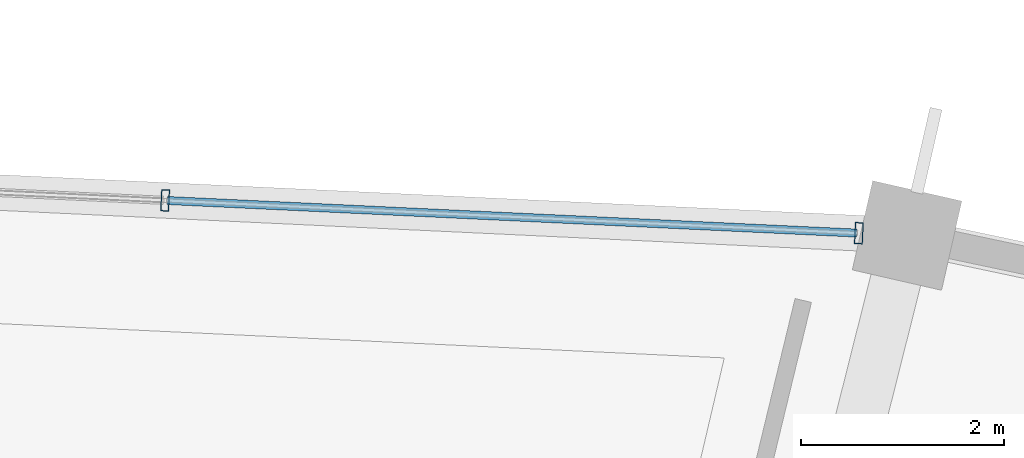
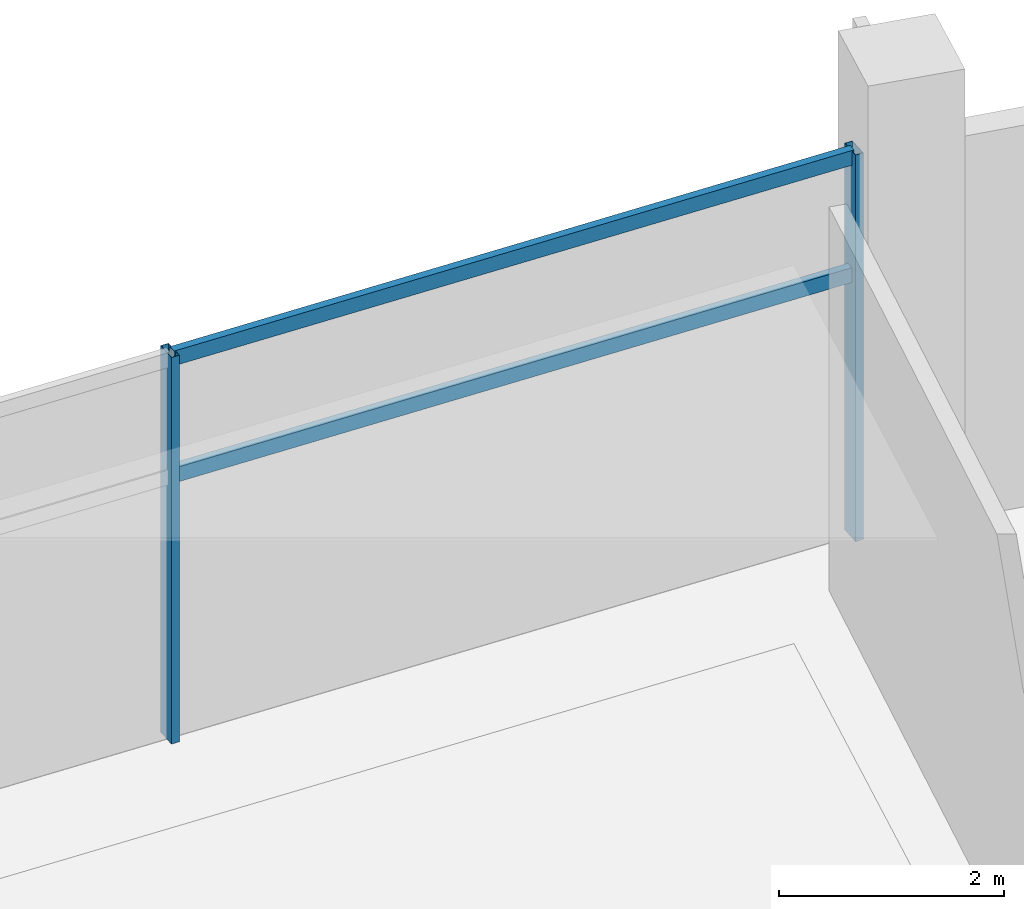
# One storey, part 124 of 184: 4 members, 1 element without a shape of its own.
"""IFC4 building model written with IfcOpenShell, lengths in metres."""

import ifcopenshell
import ifcopenshell.guid

model = None  # the IFC model being written
_history = None  # IfcOwnerHistory: only IFC2X3 demands one
_inside = {}  # id of a spatial element -> (the spatial element, [elements in it])
_under = {}  # id of a project, library or spatial element -> (it, [spatial elements below it])
_declared = {}  # id of a project -> (the project, [libraries it declares])
_typed = {}  # id of a type object -> (the type object, [elements of that type])
_made_of = {}  # id of a material, layer set ... -> (it, [elements and type objects made of it])


def new_model(schema):
    """Start an empty IFC model of exactly this schema.

    Asked for "IFC4X3", IfcOpenShell would pick the latest addendum, in which some entities
    have other attributes; the version numbers below select the first issue.
    IFC2X3 requires an IfcOwnerHistory on every rooted entity: one is made here for all.
    """
    global model, _history
    if schema == "IFC4X3":
        model = ifcopenshell.file(schema_version=(4, 3, 0, 0))
    else:
        model = ifcopenshell.file(schema=schema)
    _inside.clear()
    _under.clear()
    _declared.clear()
    _typed.clear()
    _made_of.clear()
    _history = None
    if model.schema == "IFC2X3":
        org = make("IfcOrganization", Name="unknown")
        user = make(
            "IfcPersonAndOrganization",
            ThePerson=make("IfcPerson", FamilyName="unknown"),
            TheOrganization=org,
        )
        app = make(
            "IfcApplication",
            ApplicationDeveloper=org,
            Version="unknown",
            ApplicationFullName="unknown",
            ApplicationIdentifier="unknown",
        )
        _history = make(
            "IfcOwnerHistory",
            OwningUser=user,
            OwningApplication=app,
            ChangeAction="ADDED",
            CreationDate=0,
        )
    return model


def make(cls, **values):
    """One entity of the class cls with the attributes given. An attribute that is None is left unset."""
    return model.create_entity(
        cls, **{name: value for name, value in values.items() if value is not None}
    )


def rooted(cls, **values):
    """An entity with a GlobalId (a new one), such as an element, a storey or a relation."""
    return make(cls, GlobalId=ifcopenshell.guid.new(), OwnerHistory=_history, **values)


def si_unit(unit_type, name, prefix=None):
    """IfcSIUnit, for example si_unit("LENGTHUNIT", "METRE", prefix="MILLI")."""
    return make("IfcSIUnit", UnitType=unit_type, Prefix=prefix, Name=name)


def assignment(units):
    """IfcUnitAssignment: the units of a project."""
    return None if units is None else make("IfcUnitAssignment", Units=units)


def point(xyz):
    """IfcCartesianPoint."""
    return None if xyz is None else make("IfcCartesianPoint", Coordinates=xyz)


def direction(xyz):
    """IfcDirection."""
    return None if xyz is None else make("IfcDirection", DirectionRatios=xyz)


def frame(location, z_axis=None, x_axis=None):
    """IfcAxis2Placement3D, a coordinate frame: its origin and axes. An axis left out is left unset."""
    return make(
        "IfcAxis2Placement3D",
        Location=point(location),
        Axis=direction(z_axis),
        RefDirection=direction(x_axis),
    )


def frame_2d(location, x_axis=None):
    """IfcAxis2Placement2D, a coordinate frame in the plane: its origin and x axis."""
    return make(
        "IfcAxis2Placement2D", Location=point(location), RefDirection=direction(x_axis)
    )


def origin():
    """The frame at (0, 0, 0) with its axes left unset."""
    return frame((0.0, 0.0, 0.0))


def origin_2d():
    """The frame at (0, 0) in the plane with its x axis left unset."""
    return frame_2d((0.0, 0.0))


def place(relative_to, where):
    """IfcLocalPlacement: puts the frame where relative to a parent placement (None: the world)."""
    return make(
        "IfcLocalPlacement", PlacementRelTo=relative_to, RelativePlacement=where
    )


def context(
    kind, dimensions, precision=None, world=None, true_north=None, identifier=None
):
    """IfcGeometricRepresentationContext, for example the 3D "Model" context."""
    return make(
        "IfcGeometricRepresentationContext",
        ContextIdentifier=identifier,
        ContextType=kind,
        CoordinateSpaceDimension=dimensions,
        Precision=precision,
        WorldCoordinateSystem=world,
        TrueNorth=true_north,
    )


def subcontext(parent, identifier, kind, view, scale=None):
    """IfcGeometricRepresentationSubContext, for example "Body" below "Model"."""
    return make(
        "IfcGeometricRepresentationSubContext",
        ContextIdentifier=identifier,
        ContextType=kind,
        ParentContext=parent,
        TargetScale=scale,
        TargetView=view,
    )


def project(units=None, contexts=None):
    """IfcProject with its units and contexts."""
    return rooted(
        "IfcProject",
        Name="project",
        RepresentationContexts=contexts,
        UnitsInContext=assignment(units),
    )


def spatial(cls, under=None, at=None, **own):
    """A site, building, storey or space (cls), placed at a placement, below another one or the project."""
    s = rooted(cls, ObjectPlacement=at, **own)
    if under is not None:
        _under.setdefault(under.id(), (under, []))[1].append(s)
    return s


def profile(cls, at=None, kind="AREA", **sizes):
    """A parametric profile (cls). Its sizes go by their IFC names, for example OverallWidth=200.0."""
    return make(cls, ProfileType=kind, Position=at, **sizes)


def hollow_rectangle(**sizes):
    """IfcRectangleHollowProfileDef."""
    return profile("IfcRectangleHollowProfileDef", **sizes)


def extrude(swept, where, along, depth):
    """IfcExtrudedAreaSolid: the profile swept, set in the frame where, extruded along a direction by depth."""
    return make(
        "IfcExtrudedAreaSolid",
        SweptArea=swept,
        Position=where,
        ExtrudedDirection=direction(along),
        Depth=depth,
    )


def shape(context_of_items, identifier, shape_type, items):
    """IfcShapeRepresentation: the items that make up one representation, for example the "Body"."""
    return make(
        "IfcShapeRepresentation",
        ContextOfItems=context_of_items,
        RepresentationIdentifier=identifier,
        RepresentationType=shape_type,
        Items=items,
    )


def material(Name=None, Category=None):
    """IfcMaterial."""
    return make("IfcMaterial", Name=Name, Category=Category)


def layer(
    of_material, thickness, ventilated=None, Name=None, Category=None, Priority=None
):
    """IfcMaterialLayer: one layer of a wall or slab, of a material (None: an air gap)."""
    return make(
        "IfcMaterialLayer",
        Material=of_material,
        LayerThickness=thickness,
        IsVentilated=ventilated,
        Name=Name,
        Category=Category,
        Priority=Priority,
    )


def layer_set(layers, Name=None):
    """IfcMaterialLayerSet."""
    return make("IfcMaterialLayerSet", MaterialLayers=layers, LayerSetName=Name)


def material_profile(
    of_material, cross_section, Name=None, Category=None, Priority=None
):
    """IfcMaterialProfile: a cross section and its material."""
    return make(
        "IfcMaterialProfile",
        Name=Name,
        Material=of_material,
        Profile=cross_section,
        Priority=Priority,
        Category=Category,
    )


def profile_set(profiles, Name=None, composite=None):
    """IfcMaterialProfileSet."""
    return make(
        "IfcMaterialProfileSet",
        Name=Name,
        MaterialProfiles=profiles,
        CompositeProfile=composite,
    )


def made_of(thing, what):
    """Note that an element or type object is made of a material, layer set ...; save() writes the relation."""
    if what is not None:
        _made_of.setdefault(what.id(), (what, []))[1].append(thing)
    return thing


def type_object(cls, material=None, **own):
    """A type object (cls), such as IfcWallType, which elements share."""
    return made_of(rooted(cls, **own), material)


def element(
    cls,
    number,
    at=None,
    inside=None,
    cuts=None,
    type_object=None,
    material=None,
    context=None,
    identifier="Body",
    shape_type=None,
    held_by="IfcProductDefinitionShape",
    body=None,
    shapes=None,
    **own,
):
    """One element of the class cls, such as IfcWall. Its Tag is "e" and its number.

    at: its placement. inside: the storey or other place that contains it. cuts: it is an
    opening in that element (IfcRelVoidsElement). A single representation is given by context,
    identifier, shape_type and body (its items); several are given by shapes. held_by: the class
    of the entity that holds the representations. save() writes the other relations.
    """
    e = rooted(cls, Tag="e%d" % number, ObjectPlacement=at, **own)
    if body is not None:
        shapes = [shape(context, identifier, shape_type, body)]
    if shapes is not None:
        e.Representation = make(held_by, Representations=shapes)
    if inside is not None:
        _inside.setdefault(inside.id(), (inside, []))[1].append(e)
    if cuts is not None:
        rooted(
            "IfcRelVoidsElement", RelatingBuildingElement=cuts, RelatedOpeningElement=e
        )
    if type_object is not None:
        _typed.setdefault(type_object.id(), (type_object, []))[1].append(e)
    return made_of(e, material)


def aggregate(whole, parts):
    """IfcRelAggregates: a whole, such as a stair, and the parts it consists of."""
    return rooted("IfcRelAggregates", RelatingObject=whole, RelatedObjects=parts)


def save(model, path):
    """Write the relations noted so far, then the file.

    IfcRelAggregates (storeys below a building ...), IfcRelContainedInSpatialStructure (elements
    in a storey), IfcRelDefinesByType, IfcRelAssociatesMaterial and IfcRelDeclares: one each for
    every whole, place, type object, material and project.
    """
    for whole, parts in _under.values():
        aggregate(whole, parts)
    for where, things in _inside.values():
        rooted(
            "IfcRelContainedInSpatialStructure",
            RelatedElements=things,
            RelatingStructure=where,
        )
    for kind, things in _typed.values():
        rooted("IfcRelDefinesByType", RelatedObjects=things, RelatingType=kind)
    for what, things in _made_of.values():
        rooted("IfcRelAssociatesMaterial", RelatedObjects=things, RelatingMaterial=what)
    for by, libraries in _declared.values():
        rooted("IfcRelDeclares", RelatingContext=by, RelatedDefinitions=libraries)
    model.write(path)


model = new_model("IFC4")

# Units and contexts
model_context = context("Model", 3, precision=1e-05, world=origin(), true_north=direction((0.0, 1.0)))
body_context = subcontext(model_context, "Body", "Model", "MODEL_VIEW")
ifc_project = project(units=[si_unit("LENGTHUNIT", "METRE"), si_unit("AREAUNIT", "SQUARE_METRE"), si_unit("VOLUMEUNIT", "CUBIC_METRE"), si_unit("PLANEANGLEUNIT", "RADIAN"), si_unit("MASSUNIT", "GRAM", prefix="KILO")], contexts=[model_context])

# Site, building, storey
site_placement = place(None, origin())
site = spatial("IfcSite", under=ifc_project, at=site_placement, CompositionType="ELEMENT")
building_placement = place(site_placement, origin())
building = spatial("IfcBuilding", under=site, at=building_placement, Name="Kazemori Nagisa Stadium", CompositionType="ELEMENT")
storey_placement = place(building_placement, frame((0.0, 0.0, 10.5400390625)))
storey = spatial("IfcBuildingStorey", under=building, at=storey_placement, Name="L02", CompositionType="ELEMENT", Elevation=10.5400390625)

# Curtain wall, members
ifc_material_1 = material(Name="Anodised aluminium 6063-T5", Category="aluminium")
ifc_layer = layer(ifc_material_1, 0.2099609375, Name="Anodised aluminium 6063-T5", Category="aluminium")
ifc_layer_set = layer_set([ifc_layer], Name="Anodised aluminium 6063-T5")
curtain_wall_type = type_object("IfcCurtainWallType", Name="CW_L02R3_103", PredefinedType="USERDEFINED", material=ifc_layer_set)
curtain_wall_placement = place(storey_placement, origin())
curtain_wall = element("IfcCurtainWall", 1, at=curtain_wall_placement, inside=storey, type_object=curtain_wall_type, Name="Unitised curtain wall CW-L02R3-103 L02", ObjectType="UNITISED CURTAIN WALL", PredefinedType="USERDEFINED")
ifc_material_2 = material(Name="Aluminium 6063-T5 anodised", Category="aluminium")
ifc_material_profile_1 = material_profile(ifc_material_2, hollow_rectangle(XDim=0.080078125, YDim=0.2099609375, WallThickness=0.0048828125, at=origin_2d()), Name="ALU-MULL-80x210x5")
ifc_profile_set_1 = profile_set([ifc_material_profile_1], Name="Aluminium 6063-T5 anodised")
member_type_1 = type_object("IfcMemberType", Name="Mullion_M02", PredefinedType="MULLION", material=ifc_profile_set_1)
member_1_placement = place(storey_placement, frame((143.953125, 187.00927734375, 0.0), z_axis=(0.0, 0.0, 1.0), x_axis=(-0.998884022476, 0.047230388971, 0.0)))
member_1 = element("IfcMember", 2, at=member_1_placement, type_object=member_type_1, Name="Curtain wall mullion CW-L02R3-103-M1", PredefinedType="MULLION", context=body_context, shape_type="SweptSolid", body=[
    extrude(hollow_rectangle(XDim=0.080078125, YDim=0.2099609375, WallThickness=0.0048828125, at=origin_2d()), origin(), (0.0, 0.0, 1.0), 4.18994140625),
])
member_2_placement = place(storey_placement, frame((137.126953125, 187.33203125, 0.0), z_axis=(0.0, 0.0, 1.0), x_axis=(-0.998884022476, 0.047230388971, 0.0)))
member_2 = element("IfcMember", 3, at=member_2_placement, type_object=member_type_1, Name="Curtain wall mullion CW-L02R3-103-M2", PredefinedType="MULLION", context=body_context, shape_type="SweptSolid", body=[
    extrude(hollow_rectangle(XDim=0.080078125, YDim=0.2099609375, WallThickness=0.0048828125, at=origin_2d()), origin(), (0.0, 0.0, 1.0), 4.18994140625),
])
ifc_material_profile_2 = material_profile(ifc_material_2, hollow_rectangle(XDim=0.080078125, YDim=0.159912109375, WallThickness=0.00390625, at=origin_2d()), Name="ALU-TRAN-80x160x4")
ifc_profile_set_2 = profile_set([ifc_material_profile_2], Name="Aluminium 6063-T5 anodised")
member_type_2 = type_object("IfcMemberType", Name="Transom_T02", PredefinedType="USERDEFINED", material=ifc_profile_set_2)
member_3_placement = place(storey_placement, frame((143.933349609375, 187.01025390625, 2.84912109375), z_axis=(-0.998884581669, 0.047218561007, 0.0), x_axis=(-0.047218561007, -0.998884581669, 0.0)))
member_3 = element("IfcMember", 4, at=member_3_placement, type_object=member_type_2, Name="Curtain wall transom CW-L02R3-103-T1-mid", ObjectType="TRANSOM", PredefinedType="USERDEFINED", context=body_context, shape_type="SweptSolid", body=[
    extrude(hollow_rectangle(XDim=0.080078125, YDim=0.159912109375, WallThickness=0.00390625, at=origin_2d()), origin(), (0.0, 0.0, 1.0), 6.7939453125),
])
member_4_placement = place(storey_placement, frame((143.933349609375, 187.01025390625, 4.119873046875), z_axis=(-0.998884581669, 0.047218561007, 0.0), x_axis=(-0.047218561007, -0.998884581669, 0.0)))
member_4 = element("IfcMember", 5, at=member_4_placement, type_object=member_type_2, Name="Curtain wall transom CW-L02R3-103-T1-head", ObjectType="TRANSOM", PredefinedType="USERDEFINED", context=body_context, shape_type="SweptSolid", body=[
    extrude(hollow_rectangle(XDim=0.080078125, YDim=0.159912109375, WallThickness=0.00390625, at=origin_2d()), origin(), (0.0, 0.0, 1.0), 6.7939453125),
])
aggregate(curtain_wall, [member_1, member_2, member_3, member_4])

save(model, "model.ifc")
